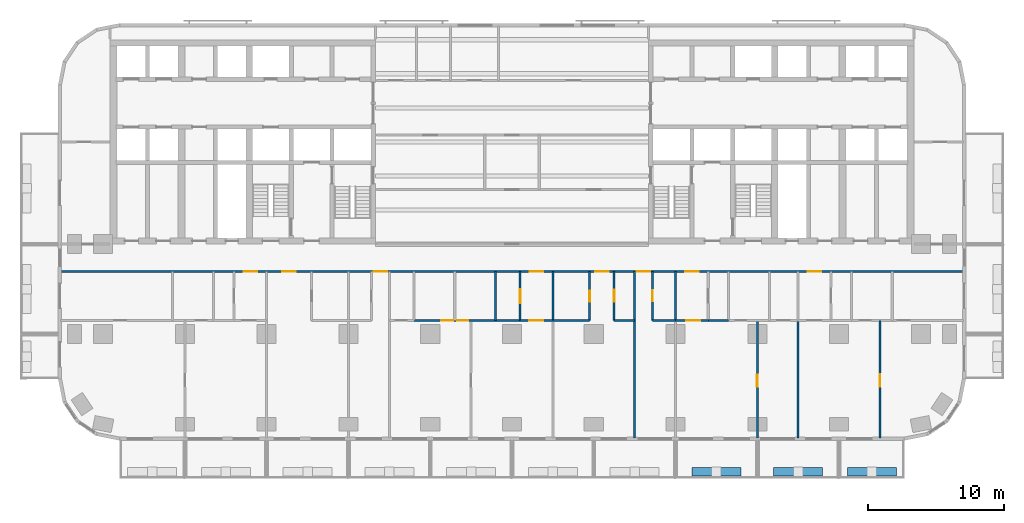
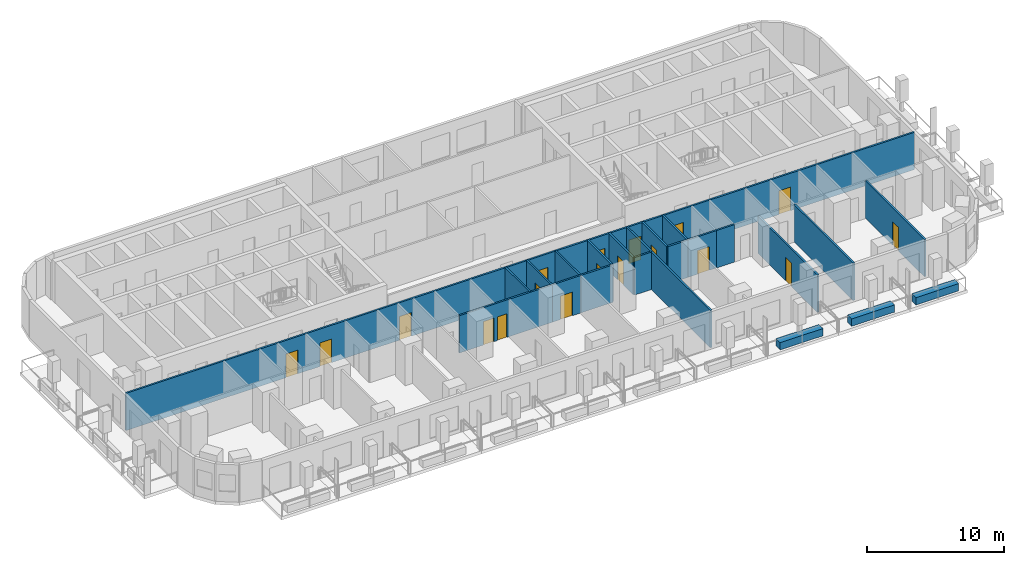
# One storey, part 5 of 14: 22 walls, 18 doors, 18 openings.
"""IFC4 building model written with IfcOpenShell, lengths in metres."""

from ifc_helpers import new_model, si_unit, direction, frame, frame_2d, origin, place, context, subcontext, project, spatial, rectangle, extrude, material, layer, layer_set, type_object, element, fill, save


model = new_model("IFC4")

# Units and contexts
model_context = context("Model", 3, precision=1e-05, world=origin(), true_north=direction((0.0, 1.0)))
body_context = subcontext(model_context, "Body", "Model", "MODEL_VIEW")
ifc_project = project(units=[si_unit("LENGTHUNIT", "METRE"), si_unit("AREAUNIT", "SQUARE_METRE"), si_unit("VOLUMEUNIT", "CUBIC_METRE"), si_unit("PLANEANGLEUNIT", "RADIAN"), si_unit("MASSUNIT", "GRAM", prefix="KILO")], contexts=[model_context])

# Site, building, storey
site_placement = place(None, origin())
site = spatial("IfcSite", under=ifc_project, at=site_placement, CompositionType="ELEMENT")
building_placement = place(site_placement, origin())
building = spatial("IfcBuilding", under=site, at=building_placement, Name="Torana Hotel and Residences", CompositionType="ELEMENT")
storey_placement = place(building_placement, frame((0.0, 0.0, 96.0)))
storey = spatial("IfcBuildingStorey", under=building, at=storey_placement, Name="L24", CompositionType="ELEMENT", Elevation=96.0)

# Walls
ifc_material_1 = material(Name="Gypsum plaster")
ifc_layer_1 = layer(ifc_material_1, 0.014892578125, Name="Plaster", Category="finish")
ifc_material_2 = material(Name="Concrete blockwork", Category="masonry")
ifc_layer_2 = layer(ifc_material_2, 0.1201171875, Name="Blockwork", Category="structure")
ifc_layer_3 = layer(ifc_material_1, 0.014892578125, Name="Plaster", Category="finish")
ifc_layer_set_1 = layer_set([ifc_layer_1, ifc_layer_2, ifc_layer_3], Name="FIRE PARTITION 150 BLOCKWORK")
wall_type_1 = type_object("IfcWallType", Name="FIRE PARTITION 150 BLOCKWORK", PredefinedType="PARTITIONING", material=ifc_layer_set_1)
for number, where, z_axis, x_axis, name in (
    (1, (12.0, -20.60009765625, 0.0), (0.0, 0.0, 1.0), (0.0, 1.0, 0.0), "Partition L24"),
    (2, (3.0, -20.60009765625, 0.0), (0.0, 0.0, 1.0), (0.0, 1.0, 0.0), "Partition L24"),
):
    element("IfcWall", number, at=place(storey_placement, frame(where, z_axis=z_axis, x_axis=x_axis)), inside=storey, type_object=wall_type_1, Name=name, PredefinedType="PARTITIONING", context=body_context, shape_type="SweptSolid", body=[
        extrude(rectangle(XDim=3.60009765625, YDim=0.14990234375, at=frame_2d((1.800048828125, 0.0))), origin(), (0.0, 0.0, 1.0), 3.320068359375),
    ])

# Wall, opening, door
wall_1_placement = place(storey_placement, frame((0.60009765625, -20.60009765625, 0.0), z_axis=(0.0, 0.0, 1.0), x_axis=(0.0, 1.0, 0.0)))
wall_1 = element("IfcWall", 3, at=wall_1_placement, inside=storey, type_object=wall_type_1, Name="Partition L24", PredefinedType="PARTITIONING", context=body_context, shape_type="SweptSolid", body=[
    extrude(rectangle(XDim=3.60009765625, YDim=0.14990234375, at=frame_2d((1.800048828125, 0.0))), origin(), (0.0, 0.0, 1.0), 3.320068359375),
])
opening_1_placement = place(wall_1_placement, frame((1.280029296875, 0.0, 0.0)))
opening_1 = element("IfcOpeningElement", 4, at=opening_1_placement, cuts=wall_1, Name="Opening L24-57", PredefinedType="OPENING", context=body_context, shape_type="SweptSolid", body=[
    extrude(rectangle(XDim=1.0, YDim=2.10009765625, at=frame_2d((0.5, 1.050048828125))), frame((0.0, 0.0849609375, 0.0), z_axis=(0.0, -1.0, 0.0), x_axis=(1.0, 0.0, 0.0)), (0.0, 0.0, 1.0), 0.169921875),
])
ifc_material_3 = material(Name="Steel S235", Category="steel")
door_type_1 = type_object("IfcDoorType", Name="ENTRY FIRE DOOR D6 1000x2100", OperationType="SINGLE_SWING_LEFT", PredefinedType="DOOR", material=ifc_material_3)
door_1_placement = place(opening_1_placement, origin())
door_1 = element("IfcDoor", 5, at=door_1_placement, inside=storey, type_object=door_type_1, Name="Door L24", OperationType="SINGLE_SWING_RIGHT", OverallHeight=2.10009765625, OverallWidth=1.0, PredefinedType="DOOR", context=body_context, shape_type="SweptSolid", body=[
    extrude(rectangle(XDim=1.0, YDim=2.10009765625, at=frame_2d((0.5, 1.050048828125))), frame((0.0, 0.02490234375, 0.0), z_axis=(0.0, -1.0, 0.0), x_axis=(1.0, 0.0, 0.0)), (0.0, 0.0, 1.0), 0.050048828125),
])
fill(opening_1, door_1)

wall_2_placement = place(storey_placement, frame((0.60009765625, -20.60009765625, 0.0), z_axis=(0.0, 0.0, 1.0), x_axis=(1.0, 0.0, 0.0)))
wall_2 = element("IfcWall", 6, at=wall_2_placement, inside=storey, type_object=wall_type_1, Name="Partition L24", PredefinedType="PARTITIONING", context=body_context, shape_type="SweptSolid", body=[
    extrude(rectangle(XDim=2.39990234375, YDim=0.14990234375, at=frame_2d((1.199951171875, 0.0))), origin(), (0.0, 0.0, 1.0), 3.320068359375),
])
opening_2_placement = place(wall_2_placement, frame((0.679931640625, 0.0, 0.0)))
opening_2 = element("IfcOpeningElement", 7, at=opening_2_placement, cuts=wall_2, Name="Opening L24-58", PredefinedType="OPENING", context=body_context, shape_type="SweptSolid", body=[
    extrude(rectangle(XDim=1.0, YDim=2.10009765625, at=frame_2d((0.5, 1.050048828125))), frame((0.0, 0.0849609375, 0.0), z_axis=(0.0, -1.0, 0.0), x_axis=(1.0, 0.0, 0.0)), (0.0, 0.0, 1.0), 0.169921875),
])
door_2_placement = place(opening_2_placement, frame((0.5, 0.0, 0.0), z_axis=(0.0, 0.0, 1.0), x_axis=(-1.0, 0.0, 0.0)))
door_2 = element("IfcDoor", 8, at=door_2_placement, inside=storey, type_object=door_type_1, Name="Door L24", OperationType="SINGLE_SWING_LEFT", OverallHeight=2.10009765625, OverallWidth=1.0, PredefinedType="DOOR", context=body_context, shape_type="SweptSolid", body=[
    extrude(rectangle(XDim=1.0, YDim=2.10009765625, at=frame_2d((0.0, 1.050048828125))), frame((0.0, -0.02490234375, 0.0), z_axis=(0.0, 1.0, 0.0), x_axis=(-1.0, 0.0, 0.0)), (0.0, 0.0, 1.0), 0.050048828125),
])
fill(opening_2, door_2)

wall_3_placement = place(storey_placement, frame((12.0, -20.60009765625, 0.0), z_axis=(0.0, 0.0, 1.0), x_axis=(1.0, 0.0, 0.0)))
wall_3 = element("IfcWall", 9, at=wall_3_placement, inside=storey, type_object=wall_type_1, Name="Partition L24", PredefinedType="PARTITIONING", context=body_context, shape_type="SweptSolid", body=[
    extrude(rectangle(XDim=2.39990234375, YDim=0.14990234375, at=frame_2d((1.199951171875, 0.0))), origin(), (0.0, 0.0, 1.0), 3.320068359375),
])
opening_3_placement = place(wall_3_placement, frame((0.800048828125, 0.0, 0.0)))
opening_3 = element("IfcOpeningElement", 10, at=opening_3_placement, cuts=wall_3, Name="Opening L24-64", PredefinedType="OPENING", context=body_context, shape_type="SweptSolid", body=[
    extrude(rectangle(XDim=1.0, YDim=2.10009765625, at=frame_2d((0.5, 1.050048828125))), frame((0.0, 0.0849609375, 0.0), z_axis=(0.0, -1.0, 0.0), x_axis=(1.0, 0.0, 0.0)), (0.0, 0.0, 1.0), 0.169921875),
])
door_3_placement = place(opening_3_placement, frame((0.5, 0.0, 0.0), z_axis=(0.0, 0.0, 1.0), x_axis=(-1.0, 0.0, 0.0)))
door_3 = element("IfcDoor", 11, at=door_3_placement, inside=storey, type_object=door_type_1, Name="Door L24", OperationType="SINGLE_SWING_LEFT", OverallHeight=2.10009765625, OverallWidth=1.0, PredefinedType="DOOR", context=body_context, shape_type="SweptSolid", body=[
    extrude(rectangle(XDim=1.0, YDim=2.10009765625, at=frame_2d((0.0, 1.050048828125))), frame((0.0, -0.02490234375, 0.0), z_axis=(0.0, 1.0, 0.0), x_axis=(-1.0, 0.0, 0.0)), (0.0, 0.0, 1.0), 0.050048828125),
])
fill(opening_3, door_3)

# Wall, openings, doors
wall_4_placement = place(storey_placement, frame((-33.1201171875, -17.0, 0.0), z_axis=(0.0, 0.0, 1.0), x_axis=(1.0, 0.0, 0.0)))
wall_4 = element("IfcWall", 12, at=wall_4_placement, inside=storey, type_object=wall_type_1, Name="Partition L24", PredefinedType="PARTITIONING", context=body_context, shape_type="SweptSolid", body=[
    extrude(rectangle(XDim=66.240234375, YDim=0.14990234375, at=frame_2d((33.1201171875, 0.0))), origin(), (0.0, 0.0, 1.0), 3.320068359375),
])
opening_4_placement = place(wall_4_placement, frame((16.27001953125, 0.0, 0.0)))
opening_4 = element("IfcOpeningElement", 13, at=opening_4_placement, cuts=wall_4, Name="Opening L24-34", PredefinedType="OPENING", context=body_context, shape_type="SweptSolid", body=[
    extrude(rectangle(XDim=1.0, YDim=2.10009765625, at=frame_2d((0.5, 1.050048828125))), frame((0.0, 0.0849609375, 0.0), z_axis=(0.0, -1.0, 0.0), x_axis=(1.0, 0.0, 0.0)), (0.0, 0.0, 1.0), 0.169921875),
])
opening_5_placement = place(wall_4_placement, frame((22.969970703125, 0.0, 0.0)))
opening_5 = element("IfcOpeningElement", 14, at=opening_5_placement, cuts=wall_4, Name="Opening L24-35", PredefinedType="OPENING", context=body_context, shape_type="SweptSolid", body=[
    extrude(rectangle(XDim=1.0, YDim=2.10009765625, at=frame_2d((0.5, 1.050048828125))), frame((0.0, 0.0849609375, 0.0), z_axis=(0.0, -1.0, 0.0), x_axis=(1.0, 0.0, 0.0)), (0.0, 0.0, 1.0), 0.169921875),
])
opening_6_placement = place(wall_4_placement, frame((34.419921875, 0.0, 0.0)))
opening_6 = element("IfcOpeningElement", 15, at=opening_6_placement, cuts=wall_4, Name="Opening L24-36", PredefinedType="OPENING", context=body_context, shape_type="SweptSolid", body=[
    extrude(rectangle(XDim=1.0, YDim=2.10009765625, at=frame_2d((0.5, 1.050048828125))), frame((0.0, 0.0849609375, 0.0), z_axis=(0.0, -1.0, 0.0), x_axis=(1.0, 0.0, 0.0)), (0.0, 0.0, 1.0), 0.169921875),
])
opening_7_placement = place(wall_4_placement, frame((39.219970703125, 0.0, 0.0)))
opening_7 = element("IfcOpeningElement", 16, at=opening_7_placement, cuts=wall_4, Name="Opening L24-37", PredefinedType="OPENING", context=body_context, shape_type="SweptSolid", body=[
    extrude(rectangle(XDim=1.0, YDim=2.10009765625, at=frame_2d((0.5, 1.050048828125))), frame((0.0, 0.0849609375, 0.0), z_axis=(0.0, -1.0, 0.0), x_axis=(1.0, 0.0, 0.0)), (0.0, 0.0, 1.0), 0.169921875),
])
opening_8_placement = place(wall_4_placement, frame((42.27001953125, 0.0, 0.0)))
opening_8 = element("IfcOpeningElement", 17, at=opening_8_placement, cuts=wall_4, Name="Opening L24-38", PredefinedType="OPENING", context=body_context, shape_type="SweptSolid", body=[
    extrude(rectangle(XDim=1.0, YDim=2.10009765625, at=frame_2d((0.5, 1.050048828125))), frame((0.0, 0.0849609375, 0.0), z_axis=(0.0, -1.0, 0.0), x_axis=(1.0, 0.0, 0.0)), (0.0, 0.0, 1.0), 0.169921875),
])
opening_9_placement = place(wall_4_placement, frame((45.820068359375, 0.0, 0.0)))
opening_9 = element("IfcOpeningElement", 18, at=opening_9_placement, cuts=wall_4, Name="Opening L24-39", PredefinedType="OPENING", context=body_context, shape_type="SweptSolid", body=[
    extrude(rectangle(XDim=1.0, YDim=2.10009765625, at=frame_2d((0.5, 1.050048828125))), frame((0.0, 0.0849609375, 0.0), z_axis=(0.0, -1.0, 0.0), x_axis=(1.0, 0.0, 0.0)), (0.0, 0.0, 1.0), 0.169921875),
])
opening_10_placement = place(wall_4_placement, frame((13.419921875, 0.0, 0.0)))
opening_10 = element("IfcOpeningElement", 19, at=opening_10_placement, cuts=wall_4, Name="Opening L24-40", PredefinedType="OPENING", context=body_context, shape_type="SweptSolid", body=[
    extrude(rectangle(XDim=1.0, YDim=2.10009765625, at=frame_2d((0.5, 1.050048828125))), frame((0.0, 0.0849609375, 0.0), z_axis=(0.0, -1.0, 0.0), x_axis=(1.0, 0.0, 0.0)), (0.0, 0.0, 1.0), 0.169921875),
])
opening_11_placement = place(wall_4_placement, frame((54.820068359375, 0.0, 0.0)))
opening_11 = element("IfcOpeningElement", 20, at=opening_11_placement, cuts=wall_4, Name="Opening L24-41", PredefinedType="OPENING", context=body_context, shape_type="SweptSolid", body=[
    extrude(rectangle(XDim=1.0, YDim=2.10009765625, at=frame_2d((0.5, 1.050048828125))), frame((0.0, 0.0849609375, 0.0), z_axis=(0.0, -1.0, 0.0), x_axis=(1.0, 0.0, 0.0)), (0.0, 0.0, 1.0), 0.169921875),
])
door_4_placement = place(opening_4_placement, frame((0.5, 0.0, 0.0), z_axis=(0.0, 0.0, 1.0), x_axis=(-1.0, 0.0, 0.0)))
door_4 = element("IfcDoor", 21, at=door_4_placement, inside=storey, type_object=door_type_1, Name="Door L24", OperationType="SINGLE_SWING_LEFT", OverallHeight=2.10009765625, OverallWidth=1.0, PredefinedType="DOOR", context=body_context, shape_type="SweptSolid", body=[
    extrude(rectangle(XDim=1.0, YDim=2.10009765625, at=frame_2d((0.0, 1.050048828125))), frame((0.0, -0.02490234375, 0.0), z_axis=(0.0, 1.0, 0.0), x_axis=(-1.0, 0.0, 0.0)), (0.0, 0.0, 1.0), 0.050048828125),
])
fill(opening_4, door_4)
door_5_placement = place(opening_5_placement, frame((0.5, 0.0, 0.0), z_axis=(0.0, 0.0, 1.0), x_axis=(-1.0, 0.0, 0.0)))
door_5 = element("IfcDoor", 22, at=door_5_placement, inside=storey, type_object=door_type_1, Name="Door L24", OperationType="SINGLE_SWING_LEFT", OverallHeight=2.10009765625, OverallWidth=1.0, PredefinedType="DOOR", context=body_context, shape_type="SweptSolid", body=[
    extrude(rectangle(XDim=1.0, YDim=2.10009765625, at=frame_2d((0.0, 1.050048828125))), frame((0.0, -0.02490234375, 0.0), z_axis=(0.0, 1.0, 0.0), x_axis=(-1.0, 0.0, 0.0)), (0.0, 0.0, 1.0), 0.050048828125),
])
fill(opening_5, door_5)
door_6_placement = place(opening_6_placement, origin())
door_6 = element("IfcDoor", 23, at=door_6_placement, inside=storey, type_object=door_type_1, Name="Door L24", OperationType="SINGLE_SWING_RIGHT", OverallHeight=2.10009765625, OverallWidth=1.0, PredefinedType="DOOR", context=body_context, shape_type="SweptSolid", body=[
    extrude(rectangle(XDim=1.0, YDim=2.10009765625, at=frame_2d((0.5, 1.050048828125))), frame((0.0, 0.02490234375, 0.0), z_axis=(0.0, -1.0, 0.0), x_axis=(1.0, 0.0, 0.0)), (0.0, 0.0, 1.0), 0.050048828125),
])
fill(opening_6, door_6)
door_7_placement = place(opening_7_placement, frame((0.5, 0.0, 0.0), z_axis=(0.0, 0.0, 1.0), x_axis=(-1.0, 0.0, 0.0)))
door_7 = element("IfcDoor", 24, at=door_7_placement, inside=storey, type_object=door_type_1, Name="Door L24", OperationType="SINGLE_SWING_LEFT", OverallHeight=2.10009765625, OverallWidth=1.0, PredefinedType="DOOR", context=body_context, shape_type="SweptSolid", body=[
    extrude(rectangle(XDim=1.0, YDim=2.10009765625, at=frame_2d((0.0, 1.050048828125))), frame((0.0, -0.02490234375, 0.0), z_axis=(0.0, 1.0, 0.0), x_axis=(-1.0, 0.0, 0.0)), (0.0, 0.0, 1.0), 0.050048828125),
])
fill(opening_7, door_7)
door_8_placement = place(opening_8_placement, frame((0.5, 0.0, 0.0), z_axis=(0.0, 0.0, 1.0), x_axis=(-1.0, 0.0, 0.0)))
door_8 = element("IfcDoor", 25, at=door_8_placement, inside=storey, type_object=door_type_1, Name="Door L24", OperationType="SINGLE_SWING_LEFT", OverallHeight=2.10009765625, OverallWidth=1.0, PredefinedType="DOOR", context=body_context, shape_type="SweptSolid", body=[
    extrude(rectangle(XDim=1.0, YDim=2.10009765625, at=frame_2d((0.0, 1.050048828125))), frame((0.0, -0.02490234375, 0.0), z_axis=(0.0, 1.0, 0.0), x_axis=(-1.0, 0.0, 0.0)), (0.0, 0.0, 1.0), 0.050048828125),
])
fill(opening_8, door_8)
door_9_placement = place(opening_9_placement, origin())
door_9 = element("IfcDoor", 26, at=door_9_placement, inside=storey, type_object=door_type_1, Name="Door L24", OperationType="SINGLE_SWING_RIGHT", OverallHeight=2.10009765625, OverallWidth=1.0, PredefinedType="DOOR", context=body_context, shape_type="SweptSolid", body=[
    extrude(rectangle(XDim=1.0, YDim=2.10009765625, at=frame_2d((0.5, 1.050048828125))), frame((0.0, 0.02490234375, 0.0), z_axis=(0.0, -1.0, 0.0), x_axis=(1.0, 0.0, 0.0)), (0.0, 0.0, 1.0), 0.050048828125),
])
fill(opening_9, door_9)
door_10_placement = place(opening_10_placement, origin())
door_10 = element("IfcDoor", 27, at=door_10_placement, inside=storey, type_object=door_type_1, Name="Door L24", OperationType="SINGLE_SWING_RIGHT", OverallHeight=2.10009765625, OverallWidth=1.0, PredefinedType="DOOR", context=body_context, shape_type="SweptSolid", body=[
    extrude(rectangle(XDim=1.0, YDim=2.10009765625, at=frame_2d((0.5, 1.050048828125))), frame((0.0, 0.02490234375, 0.0), z_axis=(0.0, -1.0, 0.0), x_axis=(1.0, 0.0, 0.0)), (0.0, 0.0, 1.0), 0.050048828125),
])
fill(opening_10, door_10)
door_11_placement = place(opening_11_placement, origin())
door_11 = element("IfcDoor", 28, at=door_11_placement, inside=storey, type_object=door_type_1, Name="Door L24", OperationType="SINGLE_SWING_RIGHT", OverallHeight=2.10009765625, OverallWidth=1.0, PredefinedType="DOOR", context=body_context, shape_type="SweptSolid", body=[
    extrude(rectangle(XDim=1.0, YDim=2.10009765625, at=frame_2d((0.5, 1.050048828125))), frame((0.0, 0.02490234375, 0.0), z_axis=(0.0, -1.0, 0.0), x_axis=(1.0, 0.0, 0.0)), (0.0, 0.0, 1.0), 0.050048828125),
])
fill(opening_11, door_11)

# Wall, opening, door
ifc_material_4 = material(Name="Gypsum plasterboard")
ifc_layer_4 = layer(ifc_material_4, 0.012451171875, Name="Plasterboard", Category="finish")
ifc_layer_5 = layer(ifc_material_4, 0.012451171875, Name="Plasterboard", Category="finish")
ifc_material_5 = material(Name="Steel S280GD", Category="steel")
ifc_layer_6 = layer(ifc_material_5, 0.10009765625, Name="Steel studs with mineral wool", Category="insulation")
ifc_layer_7 = layer(ifc_material_4, 0.012451171875, Name="Plasterboard", Category="finish")
ifc_layer_8 = layer(ifc_material_4, 0.012451171875, Name="Plasterboard", Category="finish")
ifc_layer_set_2 = layer_set([ifc_layer_4, ifc_layer_5, ifc_layer_6, ifc_layer_7, ifc_layer_8], Name="PARTITION 150 PLASTERBOARD")
wall_type_2 = type_object("IfcWallType", Name="PARTITION 150 PLASTERBOARD", PredefinedType="PARTITIONING", material=ifc_layer_set_2)
wall_5_placement = place(storey_placement, frame((27.0, -29.219970703125, 0.0), z_axis=(0.0, 0.0, 1.0), x_axis=(0.0, 1.0, 0.0)))
wall_5 = element("IfcWall", 29, at=wall_5_placement, inside=storey, type_object=wall_type_2, Name="Partition L24", PredefinedType="PARTITIONING", context=body_context, shape_type="SweptSolid", body=[
    extrude(rectangle(XDim=8.619873046875, YDim=0.14990234375, at=frame_2d((4.31005859375, 0.0))), origin(), (0.0, 0.0, 1.0), 3.320068359375),
])
opening_12_placement = place(wall_5_placement, frame((3.77001953125, 0.0, 0.0)))
opening_12 = element("IfcOpeningElement", 30, at=opening_12_placement, cuts=wall_5, Name="Opening L24-77", PredefinedType="OPENING", context=body_context, shape_type="SweptSolid", body=[
    extrude(rectangle(XDim=0.89990234375, YDim=2.10009765625, at=frame_2d((0.449951171875, 1.050048828125))), frame((0.0, 0.0849609375, 0.0), z_axis=(0.0, -1.0, 0.0), x_axis=(1.0, 0.0, 0.0)), (0.0, 0.0, 1.0), 0.169921875),
])
ifc_material_6 = material(Name="Timber door, oiled ash", Category="wood")
door_type_2 = type_object("IfcDoorType", Name="ROOM DOOR D7 900x2100", OperationType="SINGLE_SWING_LEFT", PredefinedType="DOOR", material=ifc_material_6)
door_12_placement = place(opening_12_placement, origin())
door_12 = element("IfcDoor", 31, at=door_12_placement, inside=storey, type_object=door_type_2, Name="Door L24", OperationType="SINGLE_SWING_RIGHT", OverallHeight=2.10009765625, OverallWidth=0.89990234375, PredefinedType="DOOR", context=body_context, shape_type="SweptSolid", body=[
    extrude(rectangle(XDim=0.89990234375, YDim=2.10009765625, at=frame_2d((0.449951171875, 1.050048828125))), frame((0.0, 0.02490234375, 0.0), z_axis=(0.0, -1.0, 0.0), x_axis=(1.0, 0.0, 0.0)), (0.0, 0.0, 1.0), 0.050048828125),
])
fill(opening_12, door_12)

# Wall
wall_6_placement = place(storey_placement, frame((21.0, -29.219970703125, 0.0), z_axis=(0.0, 0.0, 1.0), x_axis=(0.0, 1.0, 0.0)))
element("IfcWall", 32, at=wall_6_placement, inside=storey, type_object=wall_type_2, Name="Partition L24", PredefinedType="PARTITIONING", context=body_context, shape_type="SweptSolid", body=[
    extrude(rectangle(XDim=8.619873046875, YDim=0.14990234375, at=frame_2d((4.31005859375, 0.0))), origin(), (0.0, 0.0, 1.0), 3.320068359375),
])

# Wall, opening, door
wall_7_placement = place(storey_placement, frame((18.0, -29.219970703125, 0.0), z_axis=(0.0, 0.0, 1.0), x_axis=(0.0, 1.0, 0.0)))
wall_7 = element("IfcWall", 33, at=wall_7_placement, inside=storey, type_object=wall_type_2, Name="Partition L24", PredefinedType="PARTITIONING", context=body_context, shape_type="SweptSolid", body=[
    extrude(rectangle(XDim=8.619873046875, YDim=0.14990234375, at=frame_2d((4.31005859375, 0.0))), origin(), (0.0, 0.0, 1.0), 3.320068359375),
])
opening_13_placement = place(wall_7_placement, frame((3.75, 0.0, 0.0)))
opening_13 = element("IfcOpeningElement", 34, at=opening_13_placement, cuts=wall_7, Name="Opening L24-67", PredefinedType="OPENING", context=body_context, shape_type="SweptSolid", body=[
    extrude(rectangle(XDim=0.89990234375, YDim=2.10009765625, at=frame_2d((0.449951171875, 1.050048828125))), frame((0.0, 0.0849609375, 0.0), z_axis=(0.0, -1.0, 0.0), x_axis=(1.0, 0.0, 0.0)), (0.0, 0.0, 1.0), 0.169921875),
])
door_13_placement = place(opening_13_placement, origin())
door_13 = element("IfcDoor", 35, at=door_13_placement, inside=storey, type_object=door_type_2, Name="Door L24", OperationType="SINGLE_SWING_RIGHT", OverallHeight=2.10009765625, OverallWidth=0.89990234375, PredefinedType="DOOR", context=body_context, shape_type="SweptSolid", body=[
    extrude(rectangle(XDim=0.89990234375, YDim=2.10009765625, at=frame_2d((0.449951171875, 1.050048828125))), frame((0.0, 0.02490234375, 0.0), z_axis=(0.0, -1.0, 0.0), x_axis=(1.0, 0.0, 0.0)), (0.0, 0.0, 1.0), 0.050048828125),
])
fill(opening_13, door_13)

wall_8_placement = place(storey_placement, frame((10.300048828125, -20.60009765625, 0.0), z_axis=(0.0, 0.0, 1.0), x_axis=(0.0, 1.0, 0.0)))
wall_8 = element("IfcWall", 36, at=wall_8_placement, inside=storey, type_object=wall_type_2, Name="Partition L24", PredefinedType="PARTITIONING", context=body_context, shape_type="SweptSolid", body=[
    extrude(rectangle(XDim=3.60009765625, YDim=0.14990234375, at=frame_2d((1.800048828125, 0.0))), origin(), (0.0, 0.0, 1.0), 3.320068359375),
])
opening_14_placement = place(wall_8_placement, frame((1.419921875, 0.0, 0.0)))
opening_14 = element("IfcOpeningElement", 37, at=opening_14_placement, cuts=wall_8, Name="Opening L24-62", PredefinedType="OPENING", context=body_context, shape_type="SweptSolid", body=[
    extrude(rectangle(XDim=0.800048828125, YDim=2.10009765625, at=frame_2d((0.39990234375, 1.050048828125))), frame((0.0, 0.0849609375, 0.0), z_axis=(0.0, -1.0, 0.0), x_axis=(1.0, 0.0, 0.0)), (0.0, 0.0, 1.0), 0.169921875),
])
ifc_material_7 = material(Name="Timber door, painted", Category="wood")
door_type_3 = type_object("IfcDoorType", Name="BATH DOOR D13 800x2100", OperationType="SINGLE_SWING_LEFT", PredefinedType="DOOR", material=ifc_material_7)
door_14_placement = place(opening_14_placement, origin())
door_14 = element("IfcDoor", 38, at=door_14_placement, inside=storey, type_object=door_type_3, Name="Door L24", OperationType="SINGLE_SWING_LEFT", OverallHeight=2.10009765625, OverallWidth=0.800048828125, PredefinedType="DOOR", context=body_context, shape_type="SweptSolid", body=[
    extrude(rectangle(XDim=0.800048828125, YDim=2.10009765625, at=frame_2d((0.39990234375, 1.050048828125))), frame((0.0, 0.02490234375, 0.0), z_axis=(0.0, -1.0, 0.0), x_axis=(1.0, 0.0, 0.0)), (0.0, 0.0, 1.0), 0.050048828125),
])
fill(opening_14, door_14)

# Wall
wall_9_placement = place(storey_placement, frame((9.0, -29.219970703125, 0.0), z_axis=(0.0, 0.0, 1.0), x_axis=(0.0, 1.0, 0.0)))
element("IfcWall", 39, at=wall_9_placement, inside=storey, type_object=wall_type_2, Name="Partition L24", PredefinedType="PARTITIONING", context=body_context, shape_type="SweptSolid", body=[
    extrude(rectangle(XDim=12.219970703125, YDim=0.14990234375, at=frame_2d((6.10986328125, 0.0))), origin(), (0.0, 0.0, 1.0), 3.320068359375),
])

# Wall, opening, door
wall_10_placement = place(storey_placement, frame((7.5, -20.60009765625, 0.0), z_axis=(0.0, 0.0, 1.0), x_axis=(0.0, 1.0, 0.0)))
wall_10 = element("IfcWall", 40, at=wall_10_placement, inside=storey, type_object=wall_type_2, Name="Partition L24", PredefinedType="PARTITIONING", context=body_context, shape_type="SweptSolid", body=[
    extrude(rectangle(XDim=3.60009765625, YDim=0.14990234375, at=frame_2d((1.800048828125, 0.0))), origin(), (0.0, 0.0, 1.0), 3.320068359375),
])
opening_15_placement = place(wall_10_placement, frame((1.3701171875, 0.0, 0.0)))
opening_15 = element("IfcOpeningElement", 41, at=opening_15_placement, cuts=wall_10, Name="Opening L24-61", PredefinedType="OPENING", context=body_context, shape_type="SweptSolid", body=[
    extrude(rectangle(XDim=0.89990234375, YDim=2.10009765625, at=frame_2d((0.449951171875, 1.050048828125))), frame((0.0, 0.0849609375, 0.0), z_axis=(0.0, -1.0, 0.0), x_axis=(1.0, 0.0, 0.0)), (0.0, 0.0, 1.0), 0.169921875),
])
door_15_placement = place(opening_15_placement, origin())
door_15 = element("IfcDoor", 42, at=door_15_placement, inside=storey, type_object=door_type_2, Name="Door L24", OperationType="SINGLE_SWING_LEFT", OverallHeight=2.10009765625, OverallWidth=0.89990234375, PredefinedType="DOOR", context=body_context, shape_type="SweptSolid", body=[
    extrude(rectangle(XDim=0.89990234375, YDim=2.10009765625, at=frame_2d((0.449951171875, 1.050048828125))), frame((0.0, 0.02490234375, 0.0), z_axis=(0.0, -1.0, 0.0), x_axis=(1.0, 0.0, 0.0)), (0.0, 0.0, 1.0), 0.050048828125),
])
fill(opening_15, door_15)

wall_11_placement = place(storey_placement, frame((5.699951171875, -20.60009765625, 0.0), z_axis=(0.0, 0.0, 1.0), x_axis=(0.0, 1.0, 0.0)))
wall_11 = element("IfcWall", 43, at=wall_11_placement, inside=storey, type_object=wall_type_2, Name="Partition L24", PredefinedType="PARTITIONING", context=body_context, shape_type="SweptSolid", body=[
    extrude(rectangle(XDim=3.60009765625, YDim=0.14990234375, at=frame_2d((1.800048828125, 0.0))), origin(), (0.0, 0.0, 1.0), 3.320068359375),
])
opening_16_placement = place(wall_11_placement, frame((1.3798828125, 0.0, 0.0)))
opening_16 = element("IfcOpeningElement", 44, at=opening_16_placement, cuts=wall_11, Name="Opening L24-60", PredefinedType="OPENING", context=body_context, shape_type="SweptSolid", body=[
    extrude(rectangle(XDim=0.800048828125, YDim=2.10009765625, at=frame_2d((0.39990234375, 1.050048828125))), frame((0.0, 0.0849609375, 0.0), z_axis=(0.0, -1.0, 0.0), x_axis=(1.0, 0.0, 0.0)), (0.0, 0.0, 1.0), 0.169921875),
])
door_16_placement = place(opening_16_placement, origin())
door_16 = element("IfcDoor", 45, at=door_16_placement, inside=storey, type_object=door_type_3, Name="Door L24", OperationType="SINGLE_SWING_RIGHT", OverallHeight=2.10009765625, OverallWidth=0.800048828125, PredefinedType="DOOR", context=body_context, shape_type="SweptSolid", body=[
    extrude(rectangle(XDim=0.800048828125, YDim=2.10009765625, at=frame_2d((0.39990234375, 1.050048828125))), frame((0.0, 0.02490234375, 0.0), z_axis=(0.0, -1.0, 0.0), x_axis=(1.0, 0.0, 0.0)), (0.0, 0.0, 1.0), 0.050048828125),
])
fill(opening_16, door_16)

# Wall
wall_12_placement = place(storey_placement, frame((-1.199951171875, -20.60009765625, 0.0), z_axis=(0.0, 0.0, 1.0), x_axis=(0.0, 1.0, 0.0)))
element("IfcWall", 46, at=wall_12_placement, inside=storey, type_object=wall_type_2, Name="Partition L24", PredefinedType="PARTITIONING", context=body_context, shape_type="SweptSolid", body=[
    extrude(rectangle(XDim=3.60009765625, YDim=0.14990234375, at=frame_2d((1.800048828125, 0.0))), origin(), (0.0, 0.0, 1.0), 3.320068359375),
])

# Wall, openings, doors
wall_13_placement = place(storey_placement, frame((-7.199951171875, -20.60009765625, 0.0), z_axis=(0.0, 0.0, 1.0), x_axis=(1.0, 0.0, 0.0)))
wall_13 = element("IfcWall", 47, at=wall_13_placement, inside=storey, type_object=wall_type_2, Name="Partition L24", PredefinedType="PARTITIONING", context=body_context, shape_type="SweptSolid", body=[
    extrude(rectangle(XDim=7.800048828125, YDim=0.14990234375, at=frame_2d((3.89990234375, 0.0))), origin(), (0.0, 0.0, 1.0), 3.320068359375),
])
opening_17_placement = place(wall_13_placement, frame((2.0, 0.0, 0.0)))
opening_17 = element("IfcOpeningElement", 48, at=opening_17_placement, cuts=wall_13, Name="Opening L24-55", PredefinedType="OPENING", context=body_context, shape_type="SweptSolid", body=[
    extrude(rectangle(XDim=0.89990234375, YDim=2.10009765625, at=frame_2d((0.449951171875, 1.050048828125))), frame((0.0, 0.0849609375, 0.0), z_axis=(0.0, -1.0, 0.0), x_axis=(1.0, 0.0, 0.0)), (0.0, 0.0, 1.0), 0.169921875),
])
opening_18_placement = place(wall_13_placement, frame((3.198974609375, 0.0, 0.0)))
opening_18 = element("IfcOpeningElement", 49, at=opening_18_placement, cuts=wall_13, Name="Opening L24-56", PredefinedType="OPENING", context=body_context, shape_type="SweptSolid", body=[
    extrude(rectangle(XDim=0.800048828125, YDim=2.10009765625, at=frame_2d((0.39990234375, 1.050048828125))), frame((0.0, 0.0849609375, 0.0), z_axis=(0.0, -1.0, 0.0), x_axis=(1.0, 0.0, 0.0)), (0.0, 0.0, 1.0), 0.169921875),
])
door_17_placement = place(opening_18_placement, origin())
door_17 = element("IfcDoor", 50, at=door_17_placement, inside=storey, type_object=door_type_3, Name="Door L24", OperationType="SINGLE_SWING_RIGHT", OverallHeight=2.10009765625, OverallWidth=0.800048828125, PredefinedType="DOOR", context=body_context, shape_type="SweptSolid", body=[
    extrude(rectangle(XDim=0.800048828125, YDim=2.10009765625, at=frame_2d((0.39990234375, 1.050048828125))), frame((0.0, 0.02490234375, 0.0), z_axis=(0.0, -1.0, 0.0), x_axis=(1.0, 0.0, 0.0)), (0.0, 0.0, 1.0), 0.050048828125),
])
fill(opening_18, door_17)
door_18_placement = place(opening_17_placement, frame((0.449951171875, 0.0, 0.0), z_axis=(0.0, 0.0, 1.0), x_axis=(-1.0, 0.0, 0.0)))
door_18 = element("IfcDoor", 51, at=door_18_placement, inside=storey, type_object=door_type_2, Name="Door L24", OperationType="SINGLE_SWING_LEFT", OverallHeight=2.10009765625, OverallWidth=0.89990234375, PredefinedType="DOOR", context=body_context, shape_type="SweptSolid", body=[
    extrude(rectangle(XDim=0.89990234375, YDim=2.10009765625, at=frame_2d((0.0, 1.050048828125))), frame((0.0, -0.02490234375, 0.0), z_axis=(0.0, 1.0, 0.0), x_axis=(-1.0, 0.0, 0.0)), (0.0, 0.0, 1.0), 0.050048828125),
])
fill(opening_17, door_18)

# Walls
wall_14_placement = place(storey_placement, frame((3.0, -20.60009765625, 0.0), z_axis=(0.0, 0.0, 1.0), x_axis=(1.0, 0.0, 0.0)))
element("IfcWall", 52, at=wall_14_placement, inside=storey, type_object=wall_type_2, Name="Partition L24", PredefinedType="PARTITIONING", context=body_context, shape_type="SweptSolid", body=[
    extrude(rectangle(XDim=2.699951171875, YDim=0.14990234375, at=frame_2d((1.35009765625, 0.0))), origin(), (0.0, 0.0, 1.0), 3.320068359375),
])
wall_15_placement = place(storey_placement, frame((7.5, -20.60009765625, 0.0), z_axis=(0.0, 0.0, 1.0), x_axis=(1.0, 0.0, 0.0)))
element("IfcWall", 53, at=wall_15_placement, inside=storey, type_object=wall_type_2, Name="Partition L24", PredefinedType="PARTITIONING", context=body_context, shape_type="SweptSolid", body=[
    extrude(rectangle(XDim=1.5, YDim=0.14990234375, at=frame_2d((0.75, 0.0))), origin(), (0.0, 0.0, 1.0), 3.320068359375),
])
wall_16_placement = place(storey_placement, frame((10.300048828125, -20.60009765625, 0.0), z_axis=(0.0, 0.0, 1.0), x_axis=(1.0, 0.0, 0.0)))
element("IfcWall", 54, at=wall_16_placement, inside=storey, type_object=wall_type_2, Name="Partition L24", PredefinedType="PARTITIONING", context=body_context, shape_type="SweptSolid", body=[
    extrude(rectangle(XDim=1.699951171875, YDim=0.14990234375, at=frame_2d((0.85009765625, 0.0))), origin(), (0.0, 0.0, 1.0), 3.320068359375),
])
ifc_material_8 = material(Name="Concrete C40/50 precast", Category="concrete")
ifc_layer_9 = layer(ifc_material_8, 0.10009765625, Name="Planter shell", Category="structure")
ifc_material_9 = material(Name="Root resistant membrane")
ifc_layer_10 = layer(ifc_material_9, 0.00390625, Name="Waterproofing membrane", Category="membrane")
ifc_material_10 = material(Name="Drainage board with filter fleece")
ifc_layer_11 = layer(ifc_material_10, 0.02001953125, Name="Drainage board", Category="drainage")
ifc_material_11 = material(Name="Growing medium")
ifc_layer_12 = layer(ifc_material_11, 0.47607421875, Name="Planting substrate", Category="soil")
ifc_layer_set_3 = layer_set([ifc_layer_9, ifc_layer_10, ifc_layer_11, ifc_layer_12], Name="PL1 BALCONY PLANTER 600")
wall_type_3 = type_object("IfcWallType", Name="PL1 BALCONY PLANTER 600", PredefinedType="USERDEFINED", material=ifc_layer_set_3)
for number, where, z_axis, x_axis, name in (
    (55, (16.800048828125, -31.699951171875, 0.0), (0.0, 0.0, 1.0), (-1.0, 0.0, 0.0), "Planter 08"),
    (56, (22.800048828125, -31.699951171875, 0.0), (0.0, 0.0, 1.0), (-1.0, 0.0, 0.0), "Planter 09"),
):
    element("IfcWall", number, at=place(storey_placement, frame(where, z_axis=z_axis, x_axis=x_axis)), inside=storey, type_object=wall_type_3, Name=name, ObjectType="PLANTER", PredefinedType="USERDEFINED", context=body_context, shape_type="SweptSolid", body=[
        extrude(rectangle(XDim=3.60009765625, YDim=0.60009765625, at=frame_2d((1.800048828125, 0.0))), origin(), (0.0, 0.0, 1.0), 0.64990234375),
    ])
wall_17_placement = place(storey_placement, frame((28.199951171875, -31.699951171875, 0.0), z_axis=(0.0, 0.0, 1.0), x_axis=(-1.0, 0.0, 0.0)))
element("IfcWall", 57, at=wall_17_placement, inside=storey, type_object=wall_type_3, Name="Planter 10", ObjectType="PLANTER", PredefinedType="USERDEFINED", context=body_context, shape_type="SweptSolid", body=[
    extrude(rectangle(XDim=3.599853515625, YDim=0.60009765625, at=frame_2d((1.7998046875, 0.0))), origin(), (0.0, 0.0, 1.0), 0.64990234375),
])
ifc_material_12 = material(Name="Ceramic tile on adhesive")
ifc_layer_13 = layer(ifc_material_12, 0.010009765625, Name="Wall tile", Category="finish")
ifc_material_13 = material(Name="Cement render")
ifc_layer_14 = layer(ifc_material_13, 0.010009765625, Name="Render", Category="finish")
ifc_layer_15 = layer(ifc_material_2, 0.110107421875, Name="Blockwork", Category="structure")
ifc_layer_16 = layer(ifc_material_13, 0.010009765625, Name="Render", Category="finish")
ifc_layer_17 = layer(ifc_material_12, 0.010009765625, Name="Wall tile", Category="finish")
ifc_layer_set_4 = layer_set([ifc_layer_13, ifc_layer_14, ifc_layer_15, ifc_layer_16, ifc_layer_17], Name="WC PARTITION 150")
wall_type_4 = type_object("IfcWallType", Name="WC PARTITION 150", PredefinedType="PLUMBINGWALL", material=ifc_layer_set_4)
wall_18_placement = place(storey_placement, frame((14.39990234375, -20.60009765625, 0.0), z_axis=(0.0, 0.0, 1.0), x_axis=(1.0, 0.0, 0.0)))
element("IfcWall", 58, at=wall_18_placement, inside=storey, type_object=wall_type_4, Name="Partition L24", PredefinedType="PLUMBINGWALL", context=body_context, shape_type="SweptSolid", body=[
    extrude(rectangle(XDim=1.5, YDim=0.14990234375, at=frame_2d((0.75, 0.0))), origin(), (0.0, 0.0, 1.0), 3.320068359375),
])

save(model, "model.ifc")
